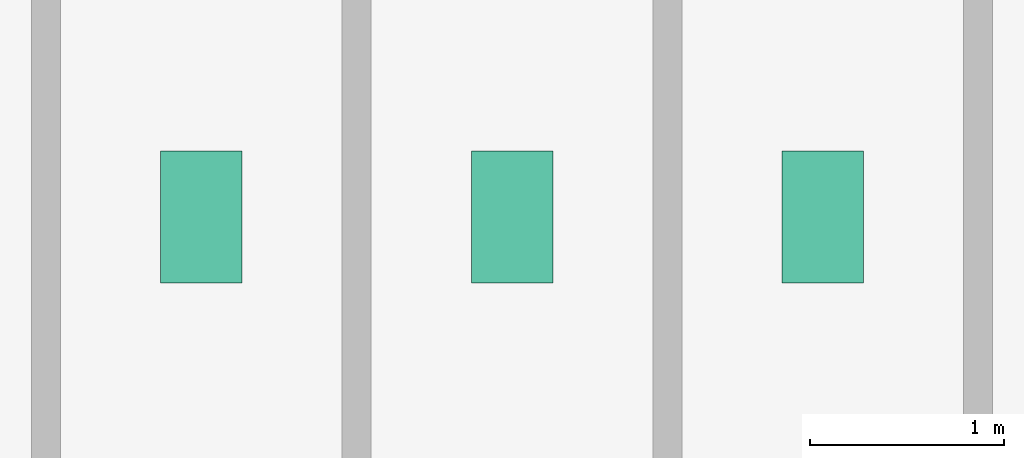
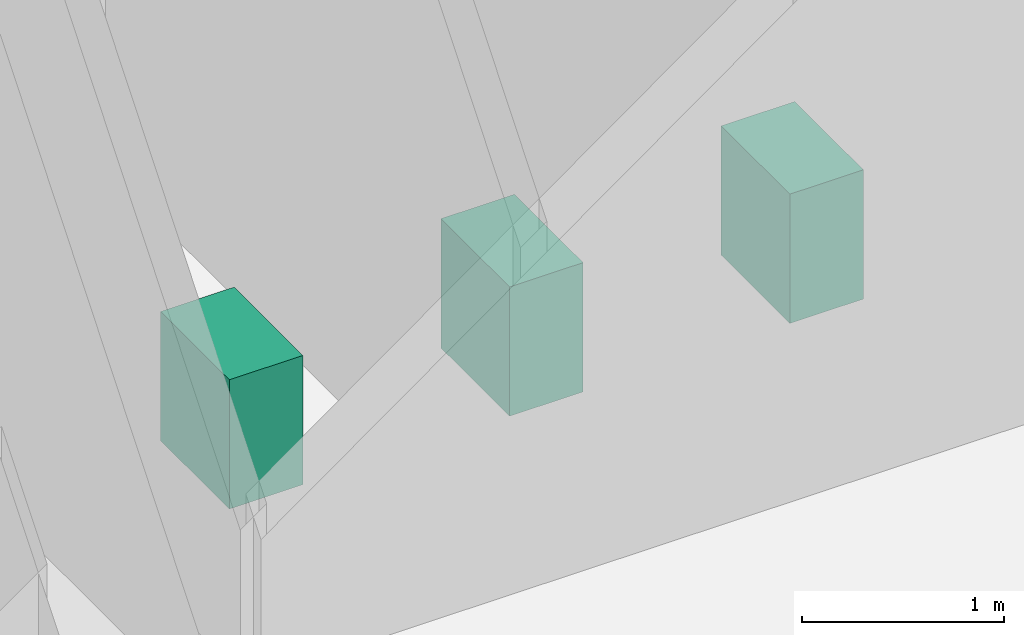
# One storey, part 24 of 24: 3 sanitary terminals.
"""IFC4 building model written with IfcOpenShell, lengths in metres."""

from ifc_helpers import new_model, si_unit, derived_unit, direction, frame, origin, origin_2d, place, context, subcontext, project, spatial, rectangle, extrude, source, transform, mapped, material, type_object, element, save


model = new_model("IFC4")

# Units and contexts
model_context = context("Model", 3, precision=1e-05, world=origin(), true_north=direction((0.0, 1.0)))
body_context = subcontext(model_context, "Body", "Model", "MODEL_VIEW")
ifc_project = project(units=[si_unit("LENGTHUNIT", "METRE"), si_unit("AREAUNIT", "SQUARE_METRE"), si_unit("VOLUMEUNIT", "CUBIC_METRE"), si_unit("PLANEANGLEUNIT", "RADIAN"), si_unit("MASSUNIT", "GRAM", prefix="KILO"), derived_unit("THERMALTRANSMITTANCEUNIT", [(si_unit("POWERUNIT", "WATT"), 1), (si_unit("LENGTHUNIT", "METRE"), -2), (si_unit("THERMODYNAMICTEMPERATUREUNIT", "KELVIN"), -1)])], contexts=[model_context])

# Site, building, storey
site_placement = place(None, origin())
site = spatial("IfcSite", under=ifc_project, at=site_placement, CompositionType="ELEMENT")
building_placement = place(site_placement, origin())
building = spatial("IfcBuilding", under=site, at=building_placement, Name="Skarnbrae Concourse Arena and Tower", CompositionType="ELEMENT")
storey_placement = place(building_placement, frame((0.0, 0.0, 288.0)))
storey = spatial("IfcBuildingStorey", under=building, at=storey_placement, Name="L75", CompositionType="ELEMENT", Elevation=288.0)

# Sanitary terminals
ifc_material = material(Name="Vitreous china sanitaryware", Category="other")
sanitary_terminal_type = type_object("IfcSanitaryTerminalType", Name="SAN-WC-VITREOUS", PredefinedType="TOILETPAN", material=ifc_material)
shared_shape = source(origin(), body_context, "Body", "SweptSolid", [
    extrude(rectangle(XDim=0.419921875, YDim=0.679931640625, at=origin_2d()), origin(), (0.0, 0.0, 1.0), 0.780029296875),
])
for number, where, z_axis, x_axis, name in (
    (1, (35.0, 11.39990234375, 0.0), (0.0, 0.0, 1.0), (1.0, 0.0, 0.0), "L75 Washroom WC fixture 1"),
    (2, (36.60009765625, 11.39990234375, 0.0), (0.0, 0.0, 1.0), (1.0, 0.0, 0.0), "L75 Washroom WC fixture 2"),
    (3, (38.199951171875, 11.39990234375, 0.0), (0.0, 0.0, 1.0), (1.0, 0.0, 0.0), "L75 Washroom WC fixture 3"),
):
    element("IfcSanitaryTerminal", number, at=place(storey_placement, frame(where, z_axis=z_axis, x_axis=x_axis)), inside=storey, type_object=sanitary_terminal_type, Name=name, PredefinedType="TOILETPAN", context=body_context, shape_type="MappedRepresentation", body=[
        mapped(shared_shape, transform((0.0, 0.0, 0.0))),
    ])

save(model, "model.ifc")
